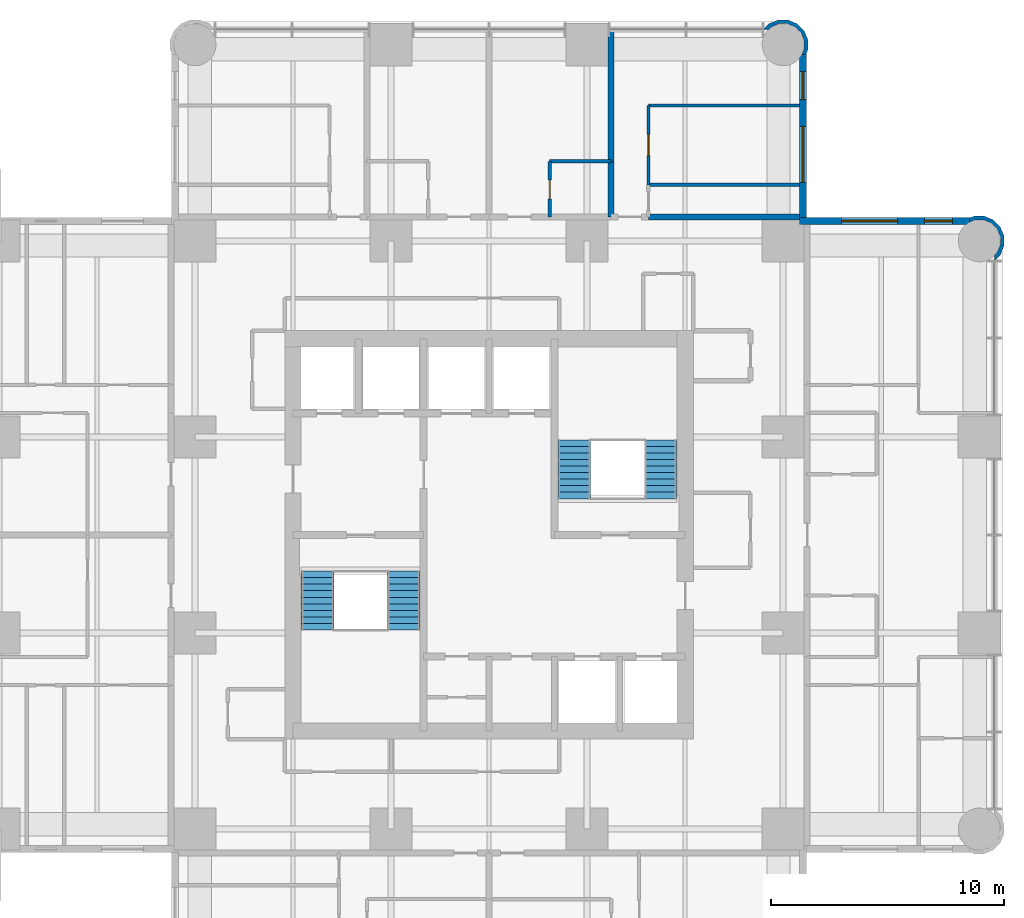
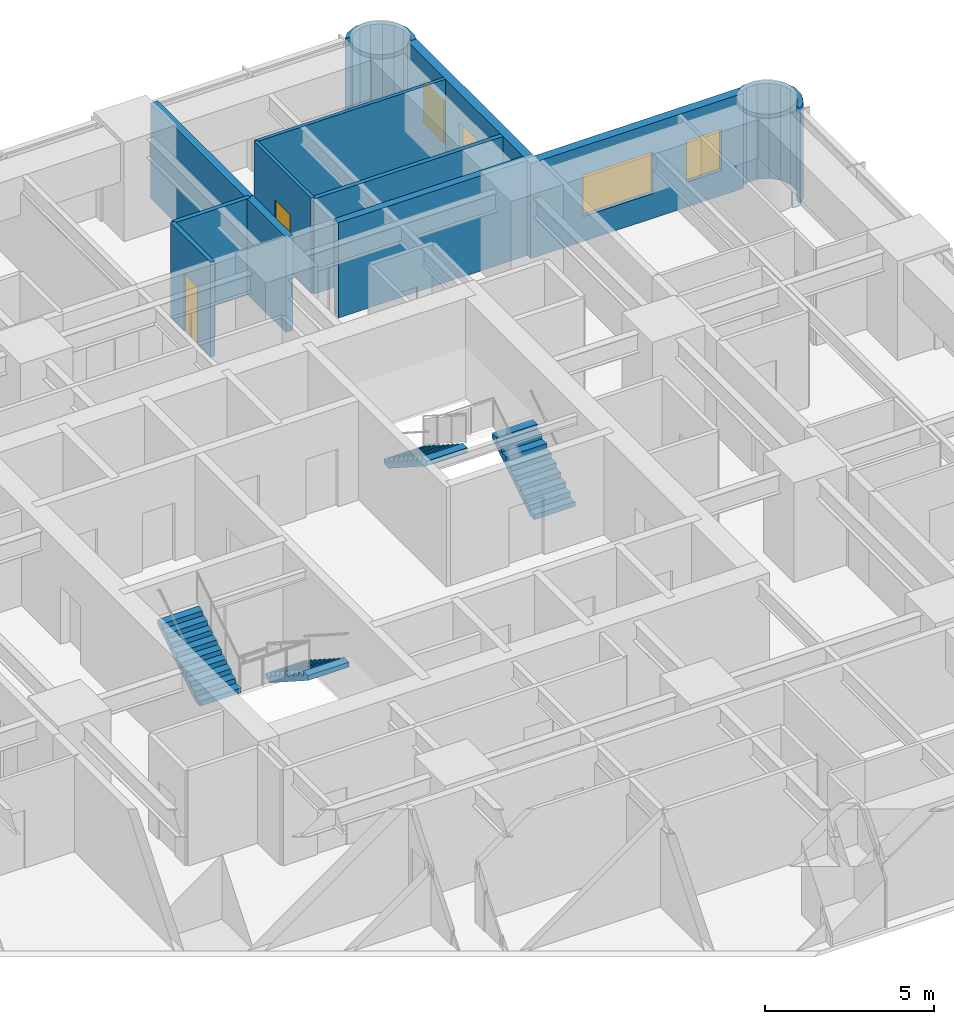
# One storey, part 10 of 11: 12 walls, 4 stair flights, 4 windows, 2 doors, 6 openings, 2 elements without a shape of their own.
"""IFC4 building model written with IfcOpenShell, lengths in metres."""

from ifc_helpers import new_model, si_unit, direction, frame, frame_2d, origin, place, context, subcontext, project, spatial, polyline, rectangle, outline, extrude, material, layer, layer_set, type_object, element, fill, aggregate, save


model = new_model("IFC4")

# Units and contexts
model_context = context("Model", 3, precision=1e-05, world=origin(), true_north=direction((0.0, 1.0)))
body_context = subcontext(model_context, "Body", "Model", "MODEL_VIEW")
ifc_project = project(units=[si_unit("LENGTHUNIT", "METRE"), si_unit("AREAUNIT", "SQUARE_METRE"), si_unit("VOLUMEUNIT", "CUBIC_METRE"), si_unit("PLANEANGLEUNIT", "RADIAN"), si_unit("MASSUNIT", "GRAM", prefix="KILO")], contexts=[model_context])

# Site, building, storey
site_placement = place(None, origin())
site = spatial("IfcSite", under=ifc_project, at=site_placement, CompositionType="ELEMENT")
building_placement = place(site_placement, origin())
building = spatial("IfcBuilding", under=site, at=building_placement, Name="Torre Alcanfor", CompositionType="ELEMENT")
storey_placement = place(building_placement, frame((0.0, 0.0, 186.89990234375)))
storey = spatial("IfcBuildingStorey", under=building, at=storey_placement, Name="L48", CompositionType="ELEMENT", Elevation=186.89990234375)

# Walls
ifc_material_1 = material(Name="Concrete block masonry, hollow blocks NMX-C-404 9 MPa", Category="masonry")
ifc_layer_1 = layer(ifc_material_1, 0.25)
ifc_layer_set_1 = layer_set([ifc_layer_1], Name="Apartment entrance wall 250 EI 60")
wall_type_1 = type_object("IfcWallType", Name="Apartment entrance wall 250 EI 60", PredefinedType="PARTITIONING", material=ifc_layer_set_1)
wall_1_placement = place(storey_placement, frame((36.22900390625, 43.02490234375, 0.0), z_axis=(0.0, 0.0, 1.0), x_axis=(1.0, 0.0, 0.0)))
element("IfcWall", 1, at=wall_1_placement, inside=storey, type_object=wall_type_1, Name="Partition L48-CORR / L48-N2B-BATH", PredefinedType="PARTITIONING", context=body_context, shape_type="SweptSolid", body=[
    extrude(rectangle(XDim=6.470947265625, YDim=0.25, at=frame_2d((3.2353515625, 0.0))), origin(), (0.0, 0.0, 1.0), 3.4501953125),
])
ifc_material_2 = material(Name="Gypsum board on steel studs", Category="steel")
ifc_layer_2 = layer(ifc_material_2, 0.1201171875)
ifc_layer_set_2 = layer_set([ifc_layer_2], Name="Apartment partition 120")
wall_type_2 = type_object("IfcWallType", Name="Apartment partition 120", PredefinedType="PARTITIONING", material=ifc_layer_set_2)
wall_2_placement = place(storey_placement, frame((42.699951171875, 47.800048828125, 0.0), z_axis=(0.0, 0.0, 1.0), x_axis=(-1.0, 0.0, 0.0)))
element("IfcWall", 2, at=wall_2_placement, inside=storey, type_object=wall_type_2, Name="Partition L48-N2B-LIVING / L48-N2B-MASTER", PredefinedType="PARTITIONING", context=body_context, shape_type="SweptSolid", body=[
    extrude(rectangle(XDim=6.470947265625, YDim=0.1201171875, at=frame_2d((3.2353515625, 0.0))), origin(), (0.0, 0.0, 1.0), 3.4501953125),
])

# Wall, opening, door
wall_3_placement = place(storey_placement, frame((36.22900390625, 47.800048828125, 0.0), z_axis=(0.0, 0.0, 1.0), x_axis=(0.0, -1.0, 0.0)))
wall_3 = element("IfcWall", 3, at=wall_3_placement, inside=storey, type_object=wall_type_2, Name="Partition L48-N2B-LIVING / L48-N2B-MASTER", PredefinedType="PARTITIONING", context=body_context, shape_type="SweptSolid", body=[
    extrude(rectangle(XDim=3.400146484375, YDim=0.1201171875, at=frame_2d((1.7001953125, 0.0))), origin(), (0.0, 0.0, 1.0), 3.4501953125),
])
opening_1_placement = place(wall_3_placement, frame((1.25, 0.0, 0.0)))
opening_1 = element("IfcOpeningElement", 4, at=opening_1_placement, cuts=wall_3, Name="Opening D-R1", PredefinedType="OPENING", context=body_context, shape_type="SweptSolid", body=[
    extrude(rectangle(XDim=0.89990234375, YDim=2.10009765625, at=frame_2d((0.449951171875, 1.050048828125))), frame((0.0, 0.070068359375, 0.0), z_axis=(0.0, -1.0, 0.0), x_axis=(1.0, 0.0, 0.0)), (0.0, 0.0, 1.0), 0.14013671875),
])
ifc_material_3 = material(Name="Timber", Category="wood")
door_type_1 = type_object("IfcDoorType", Name="Internal door 900x2100", OperationType="SINGLE_SWING_LEFT", PredefinedType="DOOR", material=ifc_material_3)
door_1_placement = place(opening_1_placement, origin())
door_1 = element("IfcDoor", 5, at=door_1_placement, inside=storey, type_object=door_type_1, Name="Door L48-N2B master", OperationType="SINGLE_SWING_LEFT", OverallHeight=2.10009765625, OverallWidth=0.89990234375, PredefinedType="DOOR", context=body_context, shape_type="SweptSolid", body=[
    extrude(rectangle(XDim=0.89990234375, YDim=2.10009765625, at=frame_2d((0.449951171875, 1.050048828125))), frame((0.0, 0.02490234375, 0.0), z_axis=(0.0, -1.0, 0.0), x_axis=(1.0, 0.0, 0.0)), (0.0, 0.0, 1.0), 0.050048828125),
])
fill(opening_1, door_1)

# Wall, openings, windows
ifc_material_4 = material(Name="Limestone cladding", Category="masonry")
ifc_layer_3 = layer(ifc_material_4, 0.0400390625, Name="Facing")
ifc_material_5 = material(Name="Ventilated air cavity")
ifc_layer_4 = layer(ifc_material_5, 0.02001953125, ventilated=True, Name="Ventilated joint")
ifc_material_6 = material(Name="Mineral wool insulation", Category="insulation")
ifc_layer_5 = layer(ifc_material_6, 0.10009765625, Name="Insulation")
ifc_material_7 = material(Name="Concrete f'c 35 MPa", Category="concrete")
ifc_layer_6 = layer(ifc_material_7, 0.139892578125, Name="Backing")
ifc_layer_set_3 = layer_set([ifc_layer_3, ifc_layer_4, ifc_layer_5, ifc_layer_6], Name="External wall stone-clad 300")
wall_type_3 = type_object("IfcWallType", Name="External wall stone-clad 300", PredefinedType="SOLIDWALL", material=ifc_layer_set_3)
wall_4_placement = place(storey_placement, frame((50.0, 42.85009765625, 0.0), z_axis=(0.0, 0.0, 1.0), x_axis=(-1.0, 0.0, 0.0)))
wall_4 = element("IfcWall", 6, at=wall_4_placement, inside=storey, type_object=wall_type_3, Name="External wall L48 9", PredefinedType="SOLIDWALL", context=body_context, shape_type="SweptSolid", body=[
    extrude(rectangle(XDim=7.300048828125, YDim=0.300048828125, at=frame_2d((3.64990234375, 0.0))), origin(), (0.0, 0.0, 1.0), 3.4501953125),
])
opening_2_placement = place(wall_4_placement, frame((3.10009765625, 0.0, 0.89990234375)))
opening_2 = element("IfcOpeningElement", 7, at=opening_2_placement, cuts=wall_4, Name="Opening W1", PredefinedType="OPENING", context=body_context, shape_type="SweptSolid", body=[
    extrude(rectangle(XDim=2.39990234375, YDim=1.5, at=frame_2d((1.199951171875, 0.75))), frame((0.0, 0.159912109375, 0.0), z_axis=(0.0, -1.0, 0.0), x_axis=(1.0, 0.0, 0.0)), (0.0, 0.0, 1.0), 0.320068359375),
])
opening_3_placement = place(wall_4_placement, frame((0.75, 0.0, 0.89990234375)))
opening_3 = element("IfcOpeningElement", 8, at=opening_3_placement, cuts=wall_4, Name="Opening W4", PredefinedType="OPENING", context=body_context, shape_type="SweptSolid", body=[
    extrude(rectangle(XDim=1.199951171875, YDim=1.5, at=frame_2d((0.60009765625, 0.75))), frame((0.0, 0.159912109375, 0.0), z_axis=(0.0, -1.0, 0.0), x_axis=(1.0, 0.0, 0.0)), (0.0, 0.0, 1.0), 0.320068359375),
])
ifc_material_8 = material(Name="Aluminium frame with clear double glazing", Category="aluminium")
window_type_1 = type_object("IfcWindowType", Name="Window bedroom 1200x1500", PartitioningType="SINGLE_PANEL", PredefinedType="WINDOW", material=ifc_material_8)
window_1_placement = place(opening_3_placement, origin())
window_1 = element("IfcWindow", 9, at=window_1_placement, inside=storey, type_object=window_type_1, Name="Window W4 L48-E1", OverallHeight=1.5, OverallWidth=1.199951171875, PartitioningType="SINGLE_PANEL", PredefinedType="WINDOW", context=body_context, shape_type="SweptSolid", body=[
    extrude(rectangle(XDim=1.199951171875, YDim=1.5, at=frame_2d((0.60009765625, 0.75))), frame((0.0, 0.030029296875, 0.0), z_axis=(0.0, -1.0, 0.0), x_axis=(1.0, 0.0, 0.0)), (0.0, 0.0, 1.0), 0.06005859375),
])
fill(opening_3, window_1)
ifc_material_9 = material(Name="Aluminium frame with clear double glazing", Category="aluminium")
window_type_2 = type_object("IfcWindowType", Name="Window bedroom 2400x1500", PartitioningType="SINGLE_PANEL", PredefinedType="WINDOW", material=ifc_material_9)
window_2_placement = place(opening_2_placement, origin())
window_2 = element("IfcWindow", 10, at=window_2_placement, inside=storey, type_object=window_type_2, Name="Window W1 L48-E1", OverallHeight=1.5, OverallWidth=2.39990234375, PartitioningType="SINGLE_PANEL", PredefinedType="WINDOW", context=body_context, shape_type="SweptSolid", body=[
    extrude(rectangle(XDim=2.39990234375, YDim=1.5, at=frame_2d((1.199951171875, 0.75))), frame((0.0, 0.030029296875, 0.0), z_axis=(0.0, -1.0, 0.0), x_axis=(1.0, 0.0, 0.0)), (0.0, 0.0, 1.0), 0.06005859375),
])
fill(opening_2, window_2)

wall_5_placement = place(storey_placement, frame((42.85009765625, 43.0, 0.0), z_axis=(0.0, 0.0, 1.0), x_axis=(0.0, 1.0, 0.0)))
wall_5 = element("IfcWall", 11, at=wall_5_placement, inside=storey, type_object=wall_type_3, Name="External wall L48 10", PredefinedType="SOLIDWALL", context=body_context, shape_type="SweptSolid", body=[
    extrude(rectangle(XDim=7.0, YDim=0.300048828125, at=frame_2d((3.5, 0.0))), origin(), (0.0, 0.0, 1.0), 3.4501953125),
])
opening_4_placement = place(wall_5_placement, frame((1.5, 0.0, 0.89990234375)))
opening_4 = element("IfcOpeningElement", 12, at=opening_4_placement, cuts=wall_5, Name="Opening W1", PredefinedType="OPENING", context=body_context, shape_type="SweptSolid", body=[
    extrude(rectangle(XDim=2.39990234375, YDim=1.5, at=frame_2d((1.199951171875, 0.75))), frame((0.0, 0.159912109375, 0.0), z_axis=(0.0, -1.0, 0.0), x_axis=(1.0, 0.0, 0.0)), (0.0, 0.0, 1.0), 0.320068359375),
])
opening_5_placement = place(wall_5_placement, frame((5.050048828125, 0.0, 0.89990234375)))
opening_5 = element("IfcOpeningElement", 13, at=opening_5_placement, cuts=wall_5, Name="Opening W4", PredefinedType="OPENING", context=body_context, shape_type="SweptSolid", body=[
    extrude(rectangle(XDim=1.199951171875, YDim=1.5, at=frame_2d((0.60009765625, 0.75))), frame((0.0, 0.159912109375, 0.0), z_axis=(0.0, -1.0, 0.0), x_axis=(1.0, 0.0, 0.0)), (0.0, 0.0, 1.0), 0.320068359375),
])
window_3_placement = place(opening_5_placement, origin())
window_3 = element("IfcWindow", 14, at=window_3_placement, inside=storey, type_object=window_type_1, Name="Window W4 L48-N2", OverallHeight=1.5, OverallWidth=1.199951171875, PartitioningType="SINGLE_PANEL", PredefinedType="WINDOW", context=body_context, shape_type="SweptSolid", body=[
    extrude(rectangle(XDim=1.199951171875, YDim=1.5, at=frame_2d((0.60009765625, 0.75))), frame((0.0, 0.030029296875, 0.0), z_axis=(0.0, -1.0, 0.0), x_axis=(1.0, 0.0, 0.0)), (0.0, 0.0, 1.0), 0.06005859375),
])
fill(opening_5, window_3)
window_4_placement = place(opening_4_placement, origin())
window_4 = element("IfcWindow", 15, at=window_4_placement, inside=storey, type_object=window_type_2, Name="Window W1 L48-N2", OverallHeight=1.5, OverallWidth=2.39990234375, PartitioningType="SINGLE_PANEL", PredefinedType="WINDOW", context=body_context, shape_type="SweptSolid", body=[
    extrude(rectangle(XDim=2.39990234375, YDim=1.5, at=frame_2d((1.199951171875, 0.75))), frame((0.0, 0.030029296875, 0.0), z_axis=(0.0, -1.0, 0.0), x_axis=(1.0, 0.0, 0.0)), (0.0, 0.0, 1.0), 0.06005859375),
])
fill(opening_4, window_4)

# Walls
ifc_material_10 = material(Name="Concrete block masonry, hollow blocks NMX-C-404 9 MPa", Category="masonry")
ifc_layer_7 = layer(ifc_material_10, 0.25)
ifc_layer_set_4 = layer_set([ifc_layer_7], Name="Party wall 250 EI 60")
wall_type_4 = type_object("IfcWallType", Name="Party wall 250 EI 60", PredefinedType="PARTITIONING", material=ifc_layer_set_4)
wall_6_placement = place(storey_placement, frame((34.62890625, 51.050048828125, 0.0), z_axis=(0.0, 0.0, 1.0), x_axis=(0.0, -1.0, 0.0)))
element("IfcWall", 16, at=wall_6_placement, inside=storey, type_object=wall_type_4, Name="Partition L48-N2A-STUDIO / L48-N2B-LIVING", PredefinedType="PARTITIONING", context=body_context, shape_type="SweptSolid", body=[
    extrude(rectangle(XDim=5.650146484375, YDim=0.25, at=frame_2d((2.8251953125, 0.0))), origin(), (0.0, 0.0, 1.0), 3.4501953125),
])
wall_7_placement = place(storey_placement, frame((34.62890625, 45.39990234375, 0.0), z_axis=(0.0, 0.0, 1.0), x_axis=(0.0, -1.0, 0.0)))
element("IfcWall", 17, at=wall_7_placement, inside=storey, type_object=wall_type_4, Name="Partition L48-N2A-BATH / L48-N2B-LIVING", PredefinedType="PARTITIONING", context=body_context, shape_type="SweptSolid", body=[
    extrude(rectangle(XDim=2.375, YDim=0.25, at=frame_2d((1.1875, 0.0))), origin(), (0.0, 0.0, 1.0), 3.4501953125),
])
ifc_layer_8 = layer(ifc_material_4, 0.0400390625, Name="Facing")
ifc_layer_9 = layer(ifc_material_5, 0.02001953125, ventilated=True, Name="Ventilated joint")
ifc_layer_10 = layer(ifc_material_6, 0.10009765625, Name="Insulation")
ifc_layer_11 = layer(ifc_material_7, 0.139892578125, Name="Backing")
ifc_layer_set_5 = layer_set([ifc_layer_8, ifc_layer_9, ifc_layer_10, ifc_layer_11], Name="Rounded corner pier stone-clad 300")
wall_type_5 = type_object("IfcWallType", Name="Rounded corner pier stone-clad 300", PredefinedType="SOLIDWALL", material=ifc_layer_set_5)
wall_8_placement = place(storey_placement, frame((51.010519256, 41.23340608, 0.0), z_axis=(0.0, 0.0, 1.0), x_axis=(0.926129809145, 0.377204953059, 0.0)))
element("IfcWall", 18, at=wall_8_placement, inside=storey, type_object=wall_type_5, Name="Corner pier L48 18", PredefinedType="SOLIDWALL", context=body_context, shape_type="SweptSolid", body=[
    extrude(outline(polyline([(0.6259297835856951, 0.34530445174236885), (0.7848789410515594, 0.7355632531546925), (0.7824002548302231, 1.1573004722387046), (0.6188602049454254, 1.5460450704957613), (0.3188673579181182, 1.8424783978706545), (-0.07161754940464127, 2.0015196463895117), (-0.23995905234243875, 2.0004896867909614), (-0.2695040290287163, 2.017268158491837), (-0.3701246919854262, 1.840768707158472), (-0.10249325350982896, 1.842218846949227), (0.22943022301003846, 1.7070291811555487), (0.48459286274246793, 1.4552162064895626), (0.6237002847682065, 1.1249277584504207), (0.6258042475217105, 0.7663468662068872), (0.49061458172803213, 0.43442338968701977), (0.23857550115161047, 0.17935284100758325), (0.09029571619376828, 0.11690191743918811), (0.011005319566822026, -0.07777527144610194), (0.024571674192974645, -0.08330073462568008), (0.329496456210802, 0.04531160471506171), (0.48006179504156143, 0.19751479836248448), (0.49893716354891837, 0.1927267701908346), (0.5074837314211094, 0.22536091887442314), (0.6259297835856951, 0.34530445174236885)])), origin(), (0.0, 0.0, 1.0), 3.4501953125),
])
wall_9_placement = place(storey_placement, frame((42.909907157, 50.036037137, 0.0), z_axis=(0.0, 0.0, 1.0), x_axis=(0.377204953059, 0.926129809145, 0.0)))
element("IfcWall", 19, at=wall_9_placement, inside=storey, type_object=wall_type_5, Name="Corner pier L48 19", PredefinedType="SOLIDWALL", context=body_context, shape_type="SweptSolid", body=[
    extrude(outline(polyline([(0.7690495923804641, 1.727510334237576), (0.7501742238731071, 1.7227223060659262), (0.5996088850423476, 1.8749254997133489), (0.2946841030245203, 2.0035378390540908), (0.2811177483983677, 1.9980123758745125), (0.36040814502531393, 1.8033351869892225), (0.5086879299831563, 1.7408842634208272), (0.7607270105595778, 1.4858137147413908), (0.8959166763532561, 1.1538902382215235), (0.8938127135997522, 0.79530934597799), (0.7547052915740137, 0.4650208979388479), (0.4995426518415842, 0.21320792327286212), (0.1676191753217168, 0.07801825747918373), (-0.10001226315388055, 0.07946839726993866), (0.0006083998028294027, -0.09703105406342623), (0.03015337648910698, -0.08025258236255073), (0.19849487942690439, -0.08128254196110103), (0.5889797867496639, 0.0777587065577563), (0.8889726337769711, 0.3741920339326494), (1.0525126836617686, 0.7629366321897061), (1.054991369883105, 1.1846738512737183), (0.8960422124172407, 1.5749326526860419), (0.7775961602526551, 1.6948761855539876), (0.7690495923804641, 1.727510334237576)])), origin(), (0.0, 0.0, 1.0), 3.4501953125),
])
ifc_material_11 = material(Name="Cement board on steel studs", Category="steel")
ifc_layer_12 = layer(ifc_material_11, 0.14990234375)
ifc_layer_set_6 = layer_set([ifc_layer_12], Name="Wet area partition 150")
wall_type_6 = type_object("IfcWallType", Name="Wet area partition 150", PredefinedType="PARTITIONING", material=ifc_layer_set_6)
wall_10_placement = place(storey_placement, frame((34.62890625, 45.39990234375, 0.0), z_axis=(0.0, 0.0, 1.0), x_axis=(-1.0, 0.0, 0.0)))
element("IfcWall", 20, at=wall_10_placement, inside=storey, type_object=wall_type_6, Name="Partition L48-N2A-STUDIO / L48-N2A-BATH", PredefinedType="PARTITIONING", context=body_context, shape_type="SweptSolid", body=[
    extrude(rectangle(XDim=2.62890625, YDim=0.14990234375, at=frame_2d((1.314453125, 0.0))), origin(), (0.0, 0.0, 1.0), 3.4501953125),
])

# Wall, opening, door
wall_11_placement = place(storey_placement, frame((32.0, 45.39990234375, 0.0), z_axis=(0.0, 0.0, 1.0), x_axis=(0.0, -1.0, 0.0)))
wall_11 = element("IfcWall", 21, at=wall_11_placement, inside=storey, type_object=wall_type_6, Name="Partition L48-N2A-STUDIO / L48-N2A-BATH", PredefinedType="PARTITIONING", context=body_context, shape_type="SweptSolid", body=[
    extrude(rectangle(XDim=2.375, YDim=0.14990234375, at=frame_2d((1.1875, 0.0))), origin(), (0.0, 0.0, 1.0), 3.4501953125),
])
opening_6_placement = place(wall_11_placement, frame((0.800048828125, 0.0, 0.0)))
opening_6 = element("IfcOpeningElement", 22, at=opening_6_placement, cuts=wall_11, Name="Opening D-R2", PredefinedType="OPENING", context=body_context, shape_type="SweptSolid", body=[
    extrude(rectangle(XDim=0.800048828125, YDim=2.10009765625, at=frame_2d((0.39990234375, 1.050048828125))), frame((0.0, 0.0849609375, 0.0), z_axis=(0.0, -1.0, 0.0), x_axis=(1.0, 0.0, 0.0)), (0.0, 0.0, 1.0), 0.169921875),
])
ifc_material_12 = material(Name="Timber", Category="wood")
door_type_2 = type_object("IfcDoorType", Name="Bathroom door 800x2100", OperationType="SINGLE_SWING_LEFT", PredefinedType="DOOR", material=ifc_material_12)
door_2_placement = place(opening_6_placement, origin())
door_2 = element("IfcDoor", 23, at=door_2_placement, inside=storey, type_object=door_type_2, Name="Door L48-N2A bath", OperationType="SINGLE_SWING_RIGHT", OverallHeight=2.10009765625, OverallWidth=0.800048828125, PredefinedType="DOOR", context=body_context, shape_type="SweptSolid", body=[
    extrude(rectangle(XDim=0.800048828125, YDim=2.10009765625, at=frame_2d((0.39990234375, 1.050048828125))), frame((0.0, 0.02490234375, 0.0), z_axis=(0.0, -1.0, 0.0), x_axis=(1.0, 0.0, 0.0)), (0.0, 0.0, 1.0), 0.050048828125),
])
fill(opening_6, door_2)

# Wall
wall_12_placement = place(storey_placement, frame((36.22900390625, 44.39990234375, 0.0), z_axis=(0.0, 0.0, 1.0), x_axis=(1.0, 0.0, 0.0)))
element("IfcWall", 24, at=wall_12_placement, inside=storey, type_object=wall_type_6, Name="Partition L48-N2B-BATH / L48-N2B-MASTER", PredefinedType="PARTITIONING", context=body_context, shape_type="SweptSolid", body=[
    extrude(rectangle(XDim=6.470947265625, YDim=0.14990234375, at=frame_2d((3.2353515625, 0.0))), origin(), (0.0, 0.0, 1.0), 3.4501953125),
])

# Stair, stair flights
ifc_material_13 = material(Name="Concrete f'c 35 MPa", Category="concrete")
stair_type_1 = type_object("IfcStairType", Name="Exit stair S1 1400 wide", PredefinedType="HALF_TURN_STAIR", material=ifc_material_13)
stair_1_placement = place(storey_placement, origin())
stair_1 = element("IfcStair", 25, at=stair_1_placement, inside=storey, type_object=stair_type_1, Name="Stair S1 L48 to L49", PredefinedType="HALF_TURN_STAIR")
ifc_material_14 = material(Name="Concrete f'c 35 MPa", Category="concrete")
stair_flight_type = type_object("IfcStairFlightType", Name="Stair flight 1400", PredefinedType="STRAIGHT", material=ifc_material_14)
stair_flight_1_placement = place(storey_placement, frame((25.75, 27.85009765625, 0.0), z_axis=(0.0, 0.0, 1.0), x_axis=(0.0, -1.0, 0.0)))
stair_flight_1 = element("IfcStairFlight", 26, at=stair_flight_1_placement, type_object=stair_flight_type, Name="S1 flight 1", NumberOfRisers=10, NumberOfTreads=9, PredefinedType="STRAIGHT", RiserHeight=0.18, TreadLength=0.28, context=body_context, shape_type="SweptSolid", body=[
    extrude(outline(polyline([(0.0, 0.0), (0.0, 0.179931640625), (0.280029296875, 0.179931640625), (0.280029296875, 0.360107421875), (0.56005859375, 0.360107421875), (0.56005859375, 0.5400390625), (0.840087890625, 0.5400390625), (0.840087890625, 0.719970703125), (1.1201171875, 0.719970703125), (1.1201171875, 0.89990234375), (1.39990234375, 0.89990234375), (1.39990234375, 1.080078125), (1.679931640625, 1.080078125), (1.679931640625, 1.260009765625), (1.9599609375, 1.260009765625), (1.9599609375, 1.43994140625), (2.239990234375, 1.43994140625), (2.239990234375, 1.6201171875), (2.52001953125, 1.6201171875), (2.52001953125, 1.800048828125), (2.52001953125, 1.44189453125), (0.277099609375, 0.0), (0.0, 0.0)])), frame((0.0, 0.699951171875, 0.0), z_axis=(0.0, -1.0, 0.0), x_axis=(1.0, 0.0, 0.0)), (0.0, 0.0, 1.0), 1.39990234375),
])
stair_flight_2_placement = place(storey_placement, frame((22.050048828125, 25.330078125, 1.800048828125), z_axis=(0.0, 0.0, 1.0), x_axis=(0.0, 1.0, 0.0)))
stair_flight_2 = element("IfcStairFlight", 27, at=stair_flight_2_placement, type_object=stair_flight_type, Name="S1 flight 2", NumberOfRisers=10, NumberOfTreads=9, PredefinedType="STRAIGHT", RiserHeight=0.18, TreadLength=0.28, context=body_context, shape_type="SweptSolid", body=[
    extrude(outline(polyline([(0.0, 0.0), (0.0, 0.179931640625), (0.280029296875, 0.179931640625), (0.280029296875, 0.360107421875), (0.56005859375, 0.360107421875), (0.56005859375, 0.5400390625), (0.840087890625, 0.5400390625), (0.840087890625, 0.719970703125), (1.1201171875, 0.719970703125), (1.1201171875, 0.89990234375), (1.39990234375, 0.89990234375), (1.39990234375, 1.080078125), (1.679931640625, 1.080078125), (1.679931640625, 1.260009765625), (1.9599609375, 1.260009765625), (1.9599609375, 1.43994140625), (2.239990234375, 1.43994140625), (2.239990234375, 1.6201171875), (2.52001953125, 1.6201171875), (2.52001953125, 1.800048828125), (2.52001953125, 1.44189453125), (0.277099609375, 0.0), (0.0, 0.0)])), frame((0.0, 0.699951171875, 0.0), z_axis=(0.0, -1.0, 0.0), x_axis=(1.0, 0.0, 0.0)), (0.0, 0.0, 1.0), 1.39990234375),
])
aggregate(stair_1, [stair_flight_1, stair_flight_2])

ifc_material_15 = material(Name="Concrete f'c 35 MPa", Category="concrete")
stair_type_2 = type_object("IfcStairType", Name="Exit stair S2 1400 wide", PredefinedType="HALF_TURN_STAIR", material=ifc_material_15)
stair_2_placement = place(storey_placement, origin())
stair_2 = element("IfcStair", 28, at=stair_2_placement, inside=storey, type_object=stair_type_2, Name="Stair S2 L48 to L49", PredefinedType="HALF_TURN_STAIR")
stair_flight_3_placement = place(storey_placement, frame((36.75, 30.949951171875, 0.0), z_axis=(0.0, 0.0, 1.0), x_axis=(0.0, 1.0, 0.0)))
stair_flight_3 = element("IfcStairFlight", 29, at=stair_flight_3_placement, type_object=stair_flight_type, Name="S2 flight 1", NumberOfRisers=10, NumberOfTreads=9, PredefinedType="STRAIGHT", RiserHeight=0.18, TreadLength=0.28, context=body_context, shape_type="SweptSolid", body=[
    extrude(outline(polyline([(0.0, 0.0), (0.0, 0.179931640625), (0.280029296875, 0.179931640625), (0.280029296875, 0.360107421875), (0.56005859375, 0.360107421875), (0.56005859375, 0.5400390625), (0.840087890625, 0.5400390625), (0.840087890625, 0.719970703125), (1.1201171875, 0.719970703125), (1.1201171875, 0.89990234375), (1.39990234375, 0.89990234375), (1.39990234375, 1.080078125), (1.679931640625, 1.080078125), (1.679931640625, 1.260009765625), (1.9599609375, 1.260009765625), (1.9599609375, 1.43994140625), (2.239990234375, 1.43994140625), (2.239990234375, 1.6201171875), (2.52001953125, 1.6201171875), (2.52001953125, 1.800048828125), (2.52001953125, 1.44189453125), (0.277099609375, 0.0), (0.0, 0.0)])), frame((0.0, 0.699951171875, 0.0), z_axis=(0.0, -1.0, 0.0), x_axis=(1.0, 0.0, 0.0)), (0.0, 0.0, 1.0), 1.39990234375),
])
stair_flight_4_placement = place(storey_placement, frame((33.050048828125, 33.469970703125, 1.800048828125), z_axis=(0.0, 0.0, 1.0), x_axis=(0.0, -1.0, 0.0)))
stair_flight_4 = element("IfcStairFlight", 30, at=stair_flight_4_placement, type_object=stair_flight_type, Name="S2 flight 2", NumberOfRisers=10, NumberOfTreads=9, PredefinedType="STRAIGHT", RiserHeight=0.18, TreadLength=0.28, context=body_context, shape_type="SweptSolid", body=[
    extrude(outline(polyline([(0.0, 0.0), (0.0, 0.179931640625), (0.280029296875, 0.179931640625), (0.280029296875, 0.360107421875), (0.56005859375, 0.360107421875), (0.56005859375, 0.5400390625), (0.840087890625, 0.5400390625), (0.840087890625, 0.719970703125), (1.1201171875, 0.719970703125), (1.1201171875, 0.89990234375), (1.39990234375, 0.89990234375), (1.39990234375, 1.080078125), (1.679931640625, 1.080078125), (1.679931640625, 1.260009765625), (1.9599609375, 1.260009765625), (1.9599609375, 1.43994140625), (2.239990234375, 1.43994140625), (2.239990234375, 1.6201171875), (2.52001953125, 1.6201171875), (2.52001953125, 1.800048828125), (2.52001953125, 1.44189453125), (0.277099609375, 0.0), (0.0, 0.0)])), frame((0.0, 0.699951171875, 0.0), z_axis=(0.0, -1.0, 0.0), x_axis=(1.0, 0.0, 0.0)), (0.0, 0.0, 1.0), 1.39990234375),
])
aggregate(stair_2, [stair_flight_3, stair_flight_4])

save(model, "model.ifc")
